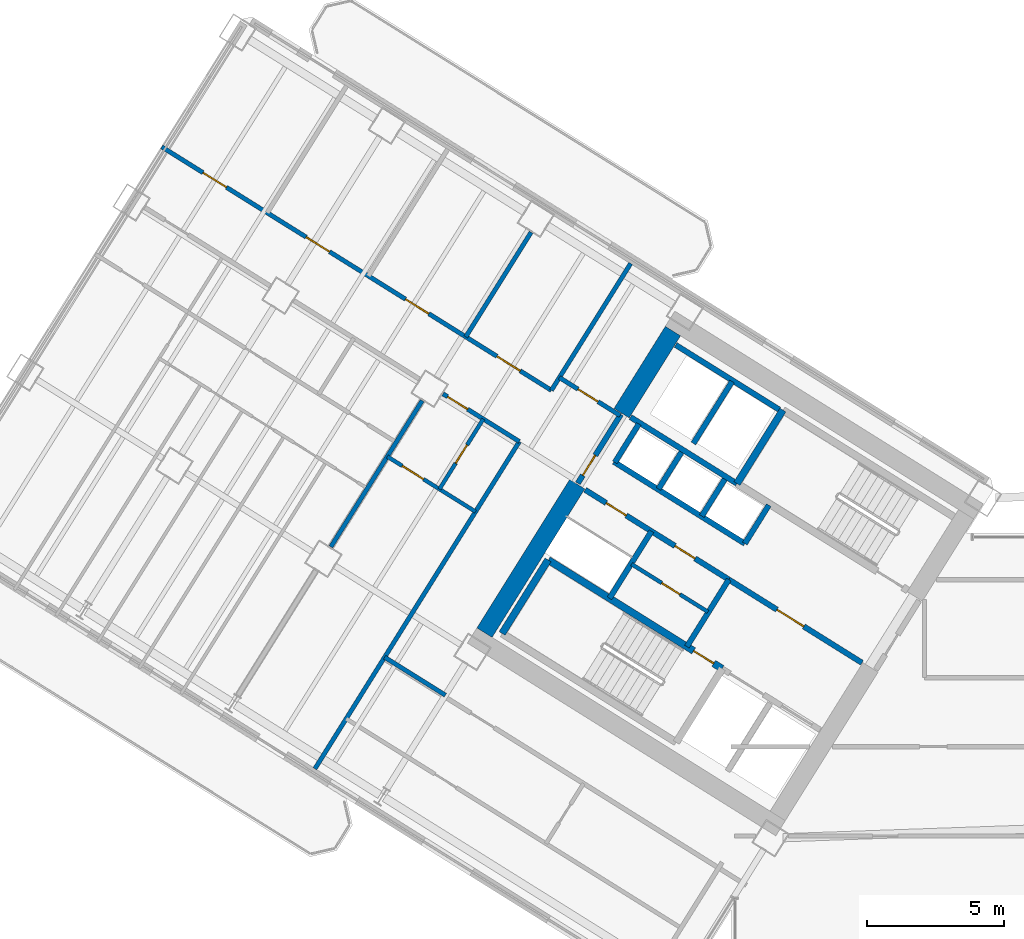
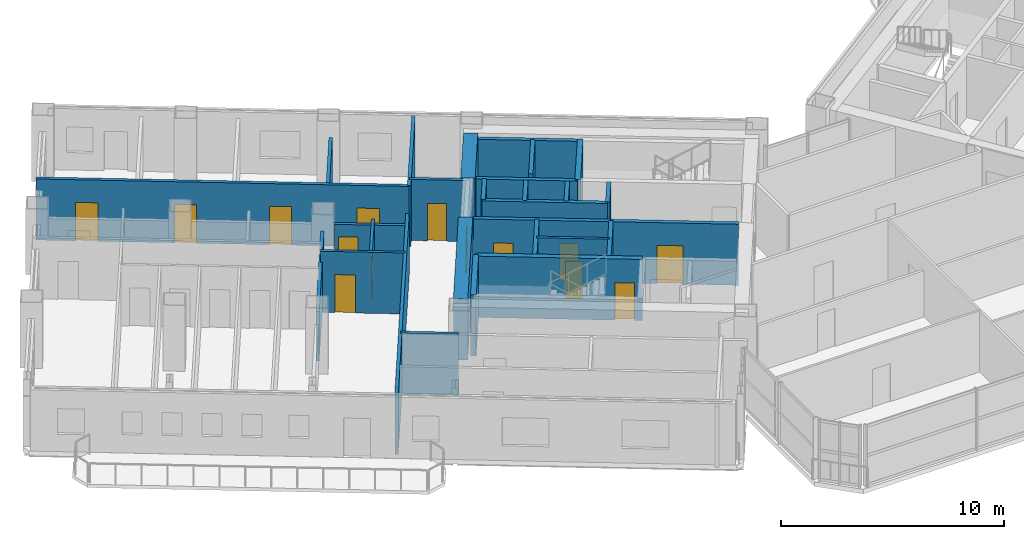
# One storey, part 16 of 28: 29 walls, 14 doors, 14 openings.
"""IFC4 building model written with IfcOpenShell, lengths in metres."""

from ifc_helpers import new_model, si_unit, direction, frame, frame_2d, origin, place, context, subcontext, project, spatial, rectangle, extrude, source, transform, mapped, material, layer, layer_set, type_object, element, fill, save


model = new_model("IFC4")

# Units and contexts
model_context = context("Model", 3, precision=1e-05, world=origin(), true_north=direction((0.0, 1.0)))
body_context = subcontext(model_context, "Body", "Model", "MODEL_VIEW")
ifc_project = project(units=[si_unit("LENGTHUNIT", "METRE"), si_unit("AREAUNIT", "SQUARE_METRE"), si_unit("VOLUMEUNIT", "CUBIC_METRE"), si_unit("PLANEANGLEUNIT", "RADIAN"), si_unit("MASSUNIT", "GRAM", prefix="KILO")], contexts=[model_context])

# Site, building, storey
site_placement = place(None, origin())
site = spatial("IfcSite", under=ifc_project, at=site_placement, CompositionType="ELEMENT")
building_placement = place(site_placement, origin())
building = spatial("IfcBuilding", under=site, at=building_placement, Name="Tlacorven Tower", CompositionType="ELEMENT")
storey_placement = place(building_placement, frame((0.0, 0.0, 63.60009765625)))
storey = spatial("IfcBuildingStorey", under=building, at=storey_placement, Name="L16", CompositionType="ELEMENT", Elevation=63.60009765625)

# Walls
ifc_material_1 = material(Name="Concrete C60/75", Category="concrete")
ifc_layer_1 = layer(ifc_material_1, 0.64990234375)
ifc_layer_set_1 = layer_set([ifc_layer_1], Name="Concrete C60/75")
wall_type_1 = type_object("IfcWallType", Name="WL-COR-650", PredefinedType="SHEAR", material=ifc_layer_set_1)
wall_1_placement = place(storey_placement, frame((29.49072265625, 30.5517578125, 0.0), z_axis=(0.0, 0.0, 1.0), x_axis=(-0.529893103397, -0.8480644427, 0.0)))
element("IfcWall", 1, at=wall_1_placement, inside=storey, type_object=wall_type_1, Name="L16 W core end wall E2.1", PredefinedType="SHEAR", context=body_context, shape_type="SweptSolid", body=[
    extrude(rectangle(XDim=3.525146484375, YDim=0.64990234375, at=frame_2d((1.7626953125, 0.0))), origin(), (0.0, 0.0, 1.0), 3.349853515625),
])
wall_2_placement = place(storey_placement, frame((26.006591796875, 24.975830078125, 0.0), z_axis=(0.0, 0.0, 1.0), x_axis=(-0.529916319127, -0.848049936456, 0.0)))
element("IfcWall", 2, at=wall_2_placement, inside=storey, type_object=wall_type_1, Name="L16 W core end wall E2.2", PredefinedType="SHEAR", context=body_context, shape_type="SweptSolid", body=[
    extrude(rectangle(XDim=6.375, YDim=0.64990234375, at=frame_2d((3.1875, 0.0))), origin(), (0.0, 0.0, 1.0), 3.349853515625),
])

# Wall, opening, door
ifc_material_2 = material(Name="Gypsum plasterboard acoustic partition", Category="gypsum")
ifc_layer_2 = layer(ifc_material_2, 0.159912109375)
ifc_layer_set_2 = layer_set([ifc_layer_2], Name="Gypsum plasterboard acoustic partition")
wall_type_2 = type_object("IfcWallType", Name="WL-DEM-160", PredefinedType="PARTITIONING", material=ifc_layer_set_2)
wall_3_placement = place(storey_placement, frame((27.56982421875, 27.4775390625, 0.0), z_axis=(0.0, 0.0, 1.0), x_axis=(-0.848050851465, 0.529914854792, 0.0)))
wall_3 = element("IfcWall", 3, at=wall_3_placement, inside=storey, type_object=wall_type_2, Name="L16 partition 50", PredefinedType="PARTITIONING", context=body_context, shape_type="SweptSolid", body=[
    extrude(rectangle(XDim=2.60986328125, YDim=0.159912109375, at=frame_2d((1.304931640625, 0.0))), origin(), (0.0, 0.0, 1.0), 3.33984375),
])
opening_1_placement = place(wall_3_placement, frame((0.949951171875, 0.0, 0.0)))
opening_1 = element("IfcOpeningElement", 4, at=opening_1_placement, cuts=wall_3, Name="Opening D19", PredefinedType="OPENING", context=body_context, shape_type="SweptSolid", body=[
    extrude(rectangle(XDim=0.860107421875, YDim=2.050048828125, at=frame_2d((0.43017578125, 1.02490234375))), frame((0.0, 0.08984375, 0.0), z_axis=(0.0, -1.0, 0.0), x_axis=(1.0, 0.0, 0.0)), (0.0, 0.0, 1.0), 0.179931640625),
])
ifc_material_3 = material(Name="Fire-rated steel door assembly", Category="steel")
door_type_1 = type_object("IfcDoorType", Name="DR-RSR-FD60-0860", OperationType="NOTDEFINED", PredefinedType="DOOR", material=ifc_material_3)
shared_shape_1 = source(origin(), body_context, "Body", "SweptSolid", [
    extrude(rectangle(XDim=0.860107421875, YDim=2.050048828125, at=frame_2d((0.43017578125, 1.02490234375))), frame((0.0, 0.02490234375, 0.0), z_axis=(0.0, -1.0, 0.0), x_axis=(1.0, 0.0, 0.0)), (0.0, 0.0, 1.0), 0.050048828125),
])
door_1_placement = place(opening_1_placement, frame((0.860107421875, 0.0, 0.0), z_axis=(0.0, 0.0, 1.0), x_axis=(-1.0, 0.0, 0.0)))
door_1 = element("IfcDoor", 5, at=door_1_placement, inside=storey, type_object=door_type_1, Name="L16 door 022", OperationType="SINGLE_SWING_LEFT", OverallHeight=2.050048828125, OverallWidth=0.860107421875, PredefinedType="DOOR", context=body_context, shape_type="MappedRepresentation", body=[
    mapped(shared_shape_1, transform((0.0, 0.0, 0.0), scale=1.0)),
])
fill(opening_1, door_1)

# Walls
wall_4_placement = place(storey_placement, frame((21.20556640625, 17.29248046875, 0.0), z_axis=(0.0, 0.0, 1.0), x_axis=(-0.848050851465, 0.529914854792, 0.0)))
element("IfcWall", 6, at=wall_4_placement, inside=storey, type_object=wall_type_2, Name="L16 partition 51", PredefinedType="PARTITIONING", context=body_context, shape_type="SweptSolid", body=[
    extrude(rectangle(XDim=2.60986328125, YDim=0.159912109375, at=frame_2d((1.304931640625, 0.0))), origin(), (0.0, 0.0, 1.0), 3.33984375),
])
wall_5_placement = place(storey_placement, frame((27.952880859375, 33.01611328125, 0.0), z_axis=(0.0, 0.0, 1.0), x_axis=(-0.529906322364, -0.848056182997, 0.0)))
element("IfcWall", 7, at=wall_5_placement, inside=storey, type_object=wall_type_2, Name="L16 partition 52", PredefinedType="PARTITIONING", context=body_context, shape_type="SweptSolid", body=[
    extrude(rectangle(XDim=5.449951171875, YDim=0.159912109375, at=frame_2d((2.72509765625, 0.0))), origin(), (0.0, 0.0, 1.0), 3.33984375),
])
wall_6_placement = place(storey_placement, frame((23.899169921875, 26.528564453125, 0.0), z_axis=(0.0, 0.0, 1.0), x_axis=(-0.529917716469, -0.848049063305, 0.0)))
element("IfcWall", 8, at=wall_6_placement, inside=storey, type_object=wall_type_2, Name="L16 partition 53", PredefinedType="PARTITIONING", context=body_context, shape_type="SweptSolid", body=[
    extrude(rectangle(XDim=14.050048828125, YDim=0.159912109375, at=frame_2d((7.02490234375, 0.0))), origin(), (0.0, 0.0, 1.0), 3.33984375),
])

# Wall, openings, doors
wall_7_placement = place(storey_placement, frame((25.06494140625, 28.394287109375, 0.0), z_axis=(0.0, 0.0, 1.0), x_axis=(-0.848048310262, 0.529918921593, 0.0)))
wall_7 = element("IfcWall", 9, at=wall_7_placement, inside=storey, type_object=wall_type_2, Name="L16 Wing W Corridor South Wall", PredefinedType="PARTITIONING", context=body_context, shape_type="SweptSolid", body=[
    extrude(rectangle(XDim=16.72998046875, YDim=0.159912109375, at=frame_2d((8.364990234375, 0.0))), origin(), (0.0, 0.0, 1.0), 3.33984375),
])
opening_2_placement = place(wall_7_placement, frame((1.337890625, 0.0, 0.0)))
opening_2 = element("IfcOpeningElement", 10, at=opening_2_placement, cuts=wall_7, Name="Opening D11", PredefinedType="OPENING", context=body_context, shape_type="SweptSolid", body=[
    extrude(rectangle(XDim=1.0, YDim=2.10009765625, at=frame_2d((0.5, 1.050048828125))), frame((0.0, 0.08984375, 0.0), z_axis=(0.0, -1.0, 0.0), x_axis=(1.0, 0.0, 0.0)), (0.0, 0.0, 1.0), 0.179931640625),
])
opening_3_placement = place(wall_7_placement, frame((5.264892578125, 0.0, 0.0)))
opening_3 = element("IfcOpeningElement", 11, at=opening_3_placement, cuts=wall_7, Name="Opening D11", PredefinedType="OPENING", context=body_context, shape_type="SweptSolid", body=[
    extrude(rectangle(XDim=1.0, YDim=2.10009765625, at=frame_2d((0.5, 1.050048828125))), frame((0.0, 0.08984375, 0.0), z_axis=(0.0, -1.0, 0.0), x_axis=(1.0, 0.0, 0.0)), (0.0, 0.0, 1.0), 0.179931640625),
])
opening_4_placement = place(wall_7_placement, frame((9.52587890625, 0.0, 0.0)))
opening_4 = element("IfcOpeningElement", 12, at=opening_4_placement, cuts=wall_7, Name="Opening D11", PredefinedType="OPENING", context=body_context, shape_type="SweptSolid", body=[
    extrude(rectangle(XDim=1.0, YDim=2.10009765625, at=frame_2d((0.5, 1.050048828125))), frame((0.0, 0.08984375, 0.0), z_axis=(0.0, -1.0, 0.0), x_axis=(1.0, 0.0, 0.0)), (0.0, 0.0, 1.0), 0.179931640625),
])
opening_5_placement = place(wall_7_placement, frame((13.9541015625, 0.0, 0.0)))
opening_5 = element("IfcOpeningElement", 13, at=opening_5_placement, cuts=wall_7, Name="Opening D11", PredefinedType="OPENING", context=body_context, shape_type="SweptSolid", body=[
    extrude(rectangle(XDim=1.0, YDim=2.10009765625, at=frame_2d((0.5, 1.050048828125))), frame((0.0, 0.08984375, 0.0), z_axis=(0.0, -1.0, 0.0), x_axis=(1.0, 0.0, 0.0)), (0.0, 0.0, 1.0), 0.179931640625),
])
door_type_2 = type_object("IfcDoorType", Name="DR-FLT-FD60-1000", OperationType="NOTDEFINED", PredefinedType="DOOR", material=ifc_material_3)
shared_shape_2 = source(origin(), body_context, "Body", "SweptSolid", [
    extrude(rectangle(XDim=1.0, YDim=2.10009765625, at=frame_2d((0.5, 1.050048828125))), frame((0.0, 0.02490234375, 0.0), z_axis=(0.0, -1.0, 0.0), x_axis=(1.0, 0.0, 0.0)), (0.0, 0.0, 1.0), 0.050048828125),
])
door_2_placement = place(opening_2_placement, frame((1.0, 0.0, 0.0), z_axis=(0.0, 0.0, 1.0), x_axis=(-1.0, 0.0, 0.0)))
door_2 = element("IfcDoor", 14, at=door_2_placement, inside=storey, type_object=door_type_2, Name="L16 door 038", OperationType="SINGLE_SWING_RIGHT", OverallHeight=2.10009765625, OverallWidth=1.0, PredefinedType="DOOR", context=body_context, shape_type="MappedRepresentation", body=[
    mapped(shared_shape_2, transform((0.0, 0.0, 0.0), scale=1.0)),
])
fill(opening_2, door_2)
door_3_placement = place(opening_3_placement, frame((1.0, 0.0, 0.0), z_axis=(0.0, 0.0, 1.0), x_axis=(-1.0, 0.0, 0.0)))
door_3 = element("IfcDoor", 15, at=door_3_placement, inside=storey, type_object=door_type_2, Name="L16 door 039", OperationType="SINGLE_SWING_LEFT", OverallHeight=2.10009765625, OverallWidth=1.0, PredefinedType="DOOR", context=body_context, shape_type="MappedRepresentation", body=[
    mapped(shared_shape_2, transform((0.0, 0.0, 0.0), scale=1.0)),
])
fill(opening_3, door_3)
door_4_placement = place(opening_4_placement, frame((1.0, 0.0, 0.0), z_axis=(0.0, 0.0, 1.0), x_axis=(-1.0, 0.0, 0.0)))
door_4 = element("IfcDoor", 16, at=door_4_placement, inside=storey, type_object=door_type_2, Name="L16 door 040", OperationType="SINGLE_SWING_RIGHT", OverallHeight=2.10009765625, OverallWidth=1.0, PredefinedType="DOOR", context=body_context, shape_type="MappedRepresentation", body=[
    mapped(shared_shape_2, transform((0.0, 0.0, 0.0), scale=1.0)),
])
fill(opening_4, door_4)
door_5_placement = place(opening_5_placement, frame((1.0, 0.0, 0.0), z_axis=(0.0, 0.0, 1.0), x_axis=(-1.0, 0.0, 0.0)))
door_5 = element("IfcDoor", 17, at=door_5_placement, inside=storey, type_object=door_type_2, Name="L16 door 041", OperationType="SINGLE_SWING_LEFT", OverallHeight=2.10009765625, OverallWidth=1.0, PredefinedType="DOOR", context=body_context, shape_type="MappedRepresentation", body=[
    mapped(shared_shape_2, transform((0.0, 0.0, 0.0), scale=1.0)),
])
fill(opening_5, door_5)

# Wall, opening, door
wall_8_placement = place(storey_placement, frame((23.899169921875, 26.528564453125, 0.0), z_axis=(0.0, 0.0, 1.0), x_axis=(-0.848061058944, 0.529898518871, 0.0)))
wall_8 = element("IfcWall", 18, at=wall_8_placement, inside=storey, type_object=wall_type_2, Name="L16 Wing W Corridor North Wall", PredefinedType="PARTITIONING", context=body_context, shape_type="SweptSolid", body=[
    extrude(rectangle(XDim=3.278076171875, YDim=0.159912109375, at=frame_2d((1.63916015625, 0.0))), origin(), (0.0, 0.0, 1.0), 2.724853515625),
])
opening_6_placement = place(wall_8_placement, frame((2.219970703125, 0.0, 0.0)))
opening_6 = element("IfcOpeningElement", 19, at=opening_6_placement, cuts=wall_8, Name="Opening D19", PredefinedType="OPENING", context=body_context, shape_type="SweptSolid", body=[
    extrude(rectangle(XDim=0.860107421875, YDim=2.050048828125, at=frame_2d((0.43017578125, 1.02490234375))), frame((0.0, 0.08984375, 0.0), z_axis=(0.0, -1.0, 0.0), x_axis=(1.0, 0.0, 0.0)), (0.0, 0.0, 1.0), 0.179931640625),
])
door_6_placement = place(opening_6_placement, origin())
door_6 = element("IfcDoor", 20, at=door_6_placement, inside=storey, type_object=door_type_1, Name="L16 door 024", OperationType="SINGLE_SWING_LEFT", OverallHeight=2.050048828125, OverallWidth=0.860107421875, PredefinedType="DOOR", context=body_context, shape_type="MappedRepresentation", body=[
    mapped(shared_shape_1, transform((0.0, 0.0, 0.0), scale=1.0)),
])
fill(opening_6, door_6)

# Walls
wall_9_placement = place(storey_placement, frame((20.360595703125, 28.017822265625, 0.0), z_axis=(0.0, 0.0, 1.0), x_axis=(-0.529915015264, -0.848050751193, 0.0)))
element("IfcWall", 21, at=wall_9_placement, inside=storey, type_object=wall_type_2, Name="L16 WN Demising Wall 1", PredefinedType="PARTITIONING", context=body_context, shape_type="SweptSolid", body=[
    extrude(rectangle(XDim=6.27587890625, YDim=0.159912109375, at=frame_2d((3.137939453125, 0.0))), origin(), (0.0, 0.0, 1.0), 2.724853515625),
])
wall_10_placement = place(storey_placement, frame((24.32568359375, 34.148193359375, 0.0), z_axis=(0.0, 0.0, 1.0), x_axis=(-0.529915808518, -0.848050255517, 0.0)))
element("IfcWall", 22, at=wall_10_placement, inside=storey, type_object=wall_type_2, Name="L16 partition 70", PredefinedType="PARTITIONING", context=body_context, shape_type="SweptSolid", body=[
    extrude(rectangle(XDim=4.48779296875, YDim=0.159912109375, at=frame_2d((2.243896484375, 0.0))), origin(), (0.0, 0.0, 1.0), 2.724853515625),
])

# Wall, opening, door
ifc_material_4 = material(Name="Moisture-resistant gypsum plumbing wall", Category="gypsum")
ifc_layer_3 = layer(ifc_material_4, 0.139892578125)
ifc_layer_set_3 = layer_set([ifc_layer_3], Name="Moisture-resistant gypsum plumbing wall")
wall_type_3 = type_object("IfcWallType", Name="WL-PLM-140", PredefinedType="PLUMBINGWALL", material=ifc_layer_set_3)
wall_11_placement = place(storey_placement, frame((30.766357421875, 20.3271484375, 0.0), z_axis=(0.0, 0.0, 1.0), x_axis=(-0.848052663127, 0.529911955482, 0.0)))
wall_11 = element("IfcWall", 23, at=wall_11_placement, inside=storey, type_object=wall_type_3, Name="L16 partition 23", PredefinedType="PLUMBINGWALL", context=body_context, shape_type="SweptSolid", body=[
    extrude(rectangle(XDim=3.27978515625, YDim=0.139892578125, at=frame_2d((1.639892578125, 0.0))), origin(), (0.0, 0.0, 1.0), 3.33984375),
])
opening_7_placement = place(wall_11_placement, frame((1.199951171875, 0.0, 0.0)))
opening_7 = element("IfcOpeningElement", 24, at=opening_7_placement, cuts=wall_11, Name="Opening D22", PredefinedType="OPENING", context=body_context, shape_type="SweptSolid", body=[
    extrude(rectangle(XDim=0.780029296875, YDim=2.050048828125, at=frame_2d((0.39013671875, 1.02490234375))), frame((0.0, 0.080078125, 0.0), z_axis=(0.0, -1.0, 0.0), x_axis=(1.0, 0.0, 0.0)), (0.0, 0.0, 1.0), 0.159912109375),
])
ifc_material_5 = material(Name="Powder-coated aluminium and timber door", Category="wood")
door_type_3 = type_object("IfcDoorType", Name="DR-INT-WET-0780", OperationType="NOTDEFINED", PredefinedType="DOOR", material=ifc_material_5)
shared_shape_3 = source(origin(), body_context, "Body", "SweptSolid", [
    extrude(rectangle(XDim=0.780029296875, YDim=2.050048828125, at=frame_2d((0.39013671875, 1.02490234375))), frame((0.0, 0.02490234375, 0.0), z_axis=(0.0, -1.0, 0.0), x_axis=(1.0, 0.0, 0.0)), (0.0, 0.0, 1.0), 0.050048828125),
])
door_7_placement = place(opening_7_placement, origin())
door_7 = element("IfcDoor", 25, at=door_7_placement, inside=storey, type_object=door_type_3, Name="L16 door 008", OperationType="SINGLE_SWING_LEFT", OverallHeight=2.050048828125, OverallWidth=0.780029296875, PredefinedType="DOOR", context=body_context, shape_type="MappedRepresentation", body=[
    mapped(shared_shape_3, transform((0.0, 0.0, 0.0), scale=1.0)),
])
fill(opening_7, door_7)

wall_12_placement = place(storey_placement, frame((22.303955078125, 23.975830078125, 0.0), z_axis=(0.0, 0.0, 1.0), x_axis=(-0.84803087207, 0.529946827537, 0.0)))
wall_12 = element("IfcWall", 26, at=wall_12_placement, inside=storey, type_object=wall_type_3, Name="L16 partition 58", PredefinedType="PLUMBINGWALL", context=body_context, shape_type="SweptSolid", body=[
    extrude(rectangle(XDim=3.7900390625, YDim=0.139892578125, at=frame_2d((1.89501953125, 0.0))), origin(), (0.0, 0.0, 1.0), 3.33984375),
])
opening_8_placement = place(wall_12_placement, frame((2.22998046875, 0.0, 0.0)))
opening_8 = element("IfcOpeningElement", 27, at=opening_8_placement, cuts=wall_12, Name="Opening D12", PredefinedType="OPENING", context=body_context, shape_type="SweptSolid", body=[
    extrude(rectangle(XDim=0.919921875, YDim=2.080078125, at=frame_2d((0.4599609375, 1.0400390625))), frame((0.0, 0.080078125, 0.0), z_axis=(0.0, -1.0, 0.0), x_axis=(1.0, 0.0, 0.0)), (0.0, 0.0, 1.0), 0.159912109375),
])
door_type_4 = type_object("IfcDoorType", Name="DR-INT-ROOM-0920", OperationType="NOTDEFINED", PredefinedType="DOOR", material=ifc_material_5)
shared_shape_4 = source(origin(), body_context, "Body", "SweptSolid", [
    extrude(rectangle(XDim=0.919921875, YDim=2.080078125, at=frame_2d((0.4599609375, 1.0400390625))), frame((0.0, 0.02490234375, 0.0), z_axis=(0.0, -1.0, 0.0), x_axis=(1.0, 0.0, 0.0)), (0.0, 0.0, 1.0), 0.050048828125),
])
door_8_placement = place(opening_8_placement, origin())
door_8 = element("IfcDoor", 28, at=door_8_placement, inside=storey, type_object=door_type_4, Name="L16 door 025", OperationType="SINGLE_SWING_LEFT", OverallHeight=2.080078125, OverallWidth=0.919921875, PredefinedType="DOOR", context=body_context, shape_type="MappedRepresentation", body=[
    mapped(shared_shape_4, transform((0.0, 0.0, 0.0), scale=1.0)),
])
fill(opening_8, door_8)

wall_13_placement = place(storey_placement, frame((22.584716796875, 27.349853515625, 0.0), z_axis=(0.0, 0.0, 1.0), x_axis=(-0.529977067289, -0.848011974059, 0.0)))
wall_13 = element("IfcWall", 29, at=wall_13_placement, inside=storey, type_object=wall_type_3, Name="L16 partition 59", PredefinedType="PLUMBINGWALL", context=body_context, shape_type="SweptSolid", body=[
    extrude(rectangle(XDim=3.010009765625, YDim=0.139892578125, at=frame_2d((1.5048828125, 0.0))), origin(), (0.0, 0.0, 1.0), 2.994873046875),
])
opening_9_placement = place(wall_13_placement, frame((1.114990234375, 0.0, 0.0)))
opening_9 = element("IfcOpeningElement", 30, at=opening_9_placement, cuts=wall_13, Name="Opening D22", PredefinedType="OPENING", context=body_context, shape_type="SweptSolid", body=[
    extrude(rectangle(XDim=0.780029296875, YDim=2.050048828125, at=frame_2d((0.39013671875, 1.02490234375))), frame((0.0, 0.080078125, 0.0), z_axis=(0.0, -1.0, 0.0), x_axis=(1.0, 0.0, 0.0)), (0.0, 0.0, 1.0), 0.159912109375),
])
door_9_placement = place(opening_9_placement, origin())
door_9 = element("IfcDoor", 31, at=door_9_placement, inside=storey, type_object=door_type_3, Name="L16 door 026", OperationType="SINGLE_SWING_RIGHT", OverallHeight=2.050048828125, OverallWidth=0.780029296875, PredefinedType="DOOR", context=body_context, shape_type="MappedRepresentation", body=[
    mapped(shared_shape_3, transform((0.0, 0.0, 0.0), scale=1.0)),
])
fill(opening_9, door_9)

ifc_material_6 = material(Name="Concrete C40/50", Category="concrete")
ifc_layer_4 = layer(ifc_material_6, 0.199951171875)
ifc_layer_set_4 = layer_set([ifc_layer_4], Name="Concrete C40/50")
wall_type_4 = type_object("IfcWallType", Name="WL-SHF-200", PredefinedType="STANDARD", material=ifc_layer_set_4)
wall_14_placement = place(storey_placement, frame((36.374267578125, 18.4736328125, 0.0), z_axis=(0.0, 0.0, 1.0), x_axis=(-0.848051071577, 0.529914502535, 0.0)))
wall_14 = element("IfcWall", 32, at=wall_14_placement, inside=storey, type_object=wall_type_4, Name="L16 Core W Smoke Lobby Wall", PredefinedType="STANDARD", context=body_context, shape_type="SweptSolid", body=[
    extrude(rectangle(XDim=5.718017578125, YDim=0.199951171875, at=frame_2d((2.85888671875, 0.0))), origin(), (0.0, 0.0, 1.0), 3.33984375),
])
opening_10_placement = place(wall_14_placement, frame((2.498046875, 0.0, 0.0)))
opening_10 = element("IfcOpeningElement", 33, at=opening_10_placement, cuts=wall_14, Name="Opening D09", PredefinedType="OPENING", context=body_context, shape_type="SweptSolid", body=[
    extrude(rectangle(XDim=1.14990234375, YDim=2.10009765625, at=frame_2d((0.574951171875, 1.050048828125))), frame((0.0, 0.10986328125, 0.0), z_axis=(0.0, -1.0, 0.0), x_axis=(1.0, 0.0, 0.0)), (0.0, 0.0, 1.0), 0.219970703125),
])
door_type_5 = type_object("IfcDoorType", Name="DR-FFL-FD60-1150", OperationType="NOTDEFINED", PredefinedType="DOOR", material=ifc_material_3)
shared_shape_5 = source(origin(), body_context, "Body", "SweptSolid", [
    extrude(rectangle(XDim=1.14990234375, YDim=2.10009765625, at=frame_2d((0.574951171875, 1.050048828125))), frame((0.0, 0.02490234375, 0.0), z_axis=(0.0, -1.0, 0.0), x_axis=(1.0, 0.0, 0.0)), (0.0, 0.0, 1.0), 0.050048828125),
])
door_10_placement = place(opening_10_placement, origin())
door_10 = element("IfcDoor", 34, at=door_10_placement, inside=storey, type_object=door_type_5, Name="L16 Firefighting Lobby W Fire Door", OperationType="SINGLE_SWING_RIGHT", OverallHeight=2.10009765625, OverallWidth=1.14990234375, PredefinedType="DOOR", context=body_context, shape_type="MappedRepresentation", body=[
    mapped(shared_shape_5, transform((0.0, 0.0, 0.0), scale=1.0)),
])
fill(opening_10, door_10)

# Walls
wall_15_placement = place(storey_placement, frame((31.82177734375, 24.99755859375, 0.0), z_axis=(0.0, 0.0, 1.0), x_axis=(-0.848058348634, 0.529902856485, 0.0)))
element("IfcWall", 35, at=wall_15_placement, inside=storey, type_object=wall_type_4, Name="L16 Core W South Lift Shaft Wall", PredefinedType="STANDARD", context=body_context, shape_type="SweptSolid", body=[
    extrude(rectangle(XDim=4.568115234375, YDim=0.199951171875, at=frame_2d((2.2841796875, 0.0))), origin(), (0.0, 0.0, 1.0), 3.33984375),
])
wall_16_placement = place(storey_placement, frame((32.108154296875, 22.81396484375, 0.0), z_axis=(0.0, 0.0, 1.0), x_axis=(-0.848042229521, 0.529928652696, 0.0)))
element("IfcWall", 36, at=wall_16_placement, inside=storey, type_object=wall_type_4, Name="L16 partition 11", PredefinedType="STANDARD", context=body_context, shape_type="SweptSolid", body=[
    extrude(rectangle(XDim=5.6201171875, YDim=0.199951171875, at=frame_2d((2.81005859375, 0.0))), origin(), (0.0, 0.0, 1.0), 3.33984375),
])
wall_17_placement = place(storey_placement, frame((32.982421875, 24.21337890625, 0.0), z_axis=(0.0, 0.0, 1.0), x_axis=(-0.529839334948, -0.84809803628, 0.0)))
element("IfcWall", 37, at=wall_17_placement, inside=storey, type_object=wall_type_4, Name="L16 partition 12", PredefinedType="STANDARD", context=body_context, shape_type="SweptSolid", body=[
    extrude(rectangle(XDim=1.650146484375, YDim=0.199951171875, at=frame_2d((0.8251953125, 0.0))), origin(), (0.0, 0.0, 1.0), 3.33984375),
])
wall_18_placement = place(storey_placement, frame((28.250244140625, 27.170166015625, 0.0), z_axis=(0.0, 0.0, 1.0), x_axis=(-0.529905827651, -0.848056492117, 0.0)))
element("IfcWall", 38, at=wall_18_placement, inside=storey, type_object=wall_type_4, Name="L16 partition 13", PredefinedType="STANDARD", context=body_context, shape_type="SweptSolid", body=[
    extrude(rectangle(XDim=1.64990234375, YDim=0.199951171875, at=frame_2d((0.824951171875, 0.0))), origin(), (0.0, 0.0, 1.0), 3.33984375),
])
wall_19_placement = place(storey_placement, frame((31.645263671875, 28.716064453125, 0.0), z_axis=(0.0, 0.0, 1.0), x_axis=(-0.52986693015, -0.848080795876, 0.0)))
element("IfcWall", 39, at=wall_19_placement, inside=storey, type_object=wall_type_4, Name="L16 partition 15", PredefinedType="STANDARD", context=body_context, shape_type="SweptSolid", body=[
    extrude(rectangle(XDim=2.659912109375, YDim=0.199951171875, at=frame_2d((1.330078125, 0.0))), origin(), (0.0, 0.0, 1.0), 3.33984375),
])
wall_20_placement = place(storey_placement, frame((33.362548828125, 27.690185546875, 0.0), z_axis=(0.0, 0.0, 1.0), x_axis=(-0.848053806312, 0.529910125964, 0.0)))
element("IfcWall", 40, at=wall_20_placement, inside=storey, type_object=wall_type_4, Name="L16 partition 17", PredefinedType="STANDARD", context=body_context, shape_type="SweptSolid", body=[
    extrude(rectangle(XDim=4.44775390625, YDim=0.199951171875, at=frame_2d((2.223876953125, 0.0))), origin(), (0.0, 0.0, 1.0), 3.33984375),
])
for number, where, z_axis, x_axis, name in (
    (41, (31.378662109375, 25.156494140625, 0.0), (0.0, 0.0, 1.0), (-0.529998940003, -0.847998304005, 0.0), "L16 partition 18"),
    (42, (29.80126953125, 26.14208984375, 0.0), (0.0, 0.0, 1.0), (-0.529998940003, -0.847998304005, 0.0), "L16 partition 19"),
):
    element("IfcWall", number, at=place(storey_placement, frame(where, z_axis=z_axis, x_axis=x_axis)), inside=storey, type_object=wall_type_4, Name=name, PredefinedType="STANDARD", context=body_context, shape_type="SweptSolid", body=[
        extrude(rectangle(XDim=1.580078125, YDim=0.199951171875, at=frame_2d((0.7900390625, 0.0))), origin(), (0.0, 0.0, 1.0), 3.33984375),
    ])
for number, where, z_axis, x_axis, name in (
    (43, (31.525146484375, 21.503662109375, 0.0), (0.0, 0.0, 1.0), (-0.529907497854, -0.848055448493, 0.0), "L16 partition 20"),
    (44, (28.709716796875, 23.26318359375, 0.0), (0.0, 0.0, 1.0), (-0.529907497854, -0.848055448493, 0.0), "L16 partition 21"),
):
    element("IfcWall", number, at=place(storey_placement, frame(where, z_axis=z_axis, x_axis=x_axis)), inside=storey, type_object=wall_type_4, Name=name, PredefinedType="STANDARD", context=body_context, shape_type="SweptSolid", body=[
        extrude(rectangle(XDim=2.8798828125, YDim=0.199951171875, at=frame_2d((1.43994140625, 0.0))), origin(), (0.0, 0.0, 1.0), 3.33984375),
    ])

# Wall, openings, doors
wall_21_placement = place(storey_placement, frame((31.525146484375, 21.503662109375, 0.0), z_axis=(0.0, 0.0, 1.0), x_axis=(-0.848044998614, 0.529924221305, 0.0)))
wall_21 = element("IfcWall", 45, at=wall_21_placement, inside=storey, type_object=wall_type_4, Name="L16 Core W North Service Wall", PredefinedType="STANDARD", context=body_context, shape_type="SweptSolid", body=[
    extrude(rectangle(XDim=6.16796875, YDim=0.199951171875, at=frame_2d((3.083984375, 0.0))), origin(), (0.0, 0.0, 1.0), 3.33984375),
])
opening_11_placement = place(wall_21_placement, frame((4.39990234375, 0.0, 0.0)))
opening_11 = element("IfcOpeningElement", 46, at=opening_11_placement, cuts=wall_21, Name="Opening D19", PredefinedType="OPENING", context=body_context, shape_type="SweptSolid", body=[
    extrude(rectangle(XDim=0.860107421875, YDim=2.050048828125, at=frame_2d((0.43017578125, 1.02490234375))), frame((0.0, 0.10986328125, 0.0), z_axis=(0.0, -1.0, 0.0), x_axis=(1.0, 0.0, 0.0)), (0.0, 0.0, 1.0), 0.219970703125),
])
opening_12_placement = place(wall_21_placement, frame((1.449951171875, 0.0, 0.0)))
opening_12 = element("IfcOpeningElement", 47, at=opening_12_placement, cuts=wall_21, Name="Opening D19", PredefinedType="OPENING", context=body_context, shape_type="SweptSolid", body=[
    extrude(rectangle(XDim=0.860107421875, YDim=2.050048828125, at=frame_2d((0.43017578125, 1.02490234375))), frame((0.0, 0.10986328125, 0.0), z_axis=(0.0, -1.0, 0.0), x_axis=(1.0, 0.0, 0.0)), (0.0, 0.0, 1.0), 0.219970703125),
])
door_11_placement = place(opening_11_placement, frame((0.860107421875, 0.0, 0.0), z_axis=(0.0, 0.0, 1.0), x_axis=(-1.0, 0.0, 0.0)))
door_11 = element("IfcDoor", 48, at=door_11_placement, inside=storey, type_object=door_type_1, Name="L16 Electrical Riser Access Door W", OperationType="SINGLE_SWING_LEFT", OverallHeight=2.050048828125, OverallWidth=0.860107421875, PredefinedType="DOOR", context=body_context, shape_type="MappedRepresentation", body=[
    mapped(shared_shape_1, transform((0.0, 0.0, 0.0), scale=1.0)),
])
fill(opening_11, door_11)
door_12_placement = place(opening_12_placement, frame((0.860107421875, 0.0, 0.0), z_axis=(0.0, 0.0, 1.0), x_axis=(-1.0, 0.0, 0.0)))
door_12 = element("IfcDoor", 49, at=door_12_placement, inside=storey, type_object=door_type_1, Name="L16 Cleaner Store Access Door W", OperationType="SINGLE_SWING_RIGHT", OverallHeight=2.050048828125, OverallWidth=0.860107421875, PredefinedType="DOOR", context=body_context, shape_type="MappedRepresentation", body=[
    mapped(shared_shape_1, transform((0.0, 0.0, 0.0), scale=1.0)),
])
fill(opening_12, door_12)

# Wall, opening, door
wall_22_placement = place(storey_placement, frame((27.59619140625, 27.52001953125, 0.0), z_axis=(0.0, 0.0, 1.0), x_axis=(-0.529865479138, -0.848081702443, 0.0)))
wall_22 = element("IfcWall", 50, at=wall_22_placement, inside=storey, type_object=wall_type_4, Name="L16 partition 49", PredefinedType="STANDARD", context=body_context, shape_type="SweptSolid", body=[
    extrude(rectangle(XDim=2.9599609375, YDim=0.199951171875, at=frame_2d((1.47998046875, 0.0))), origin(), (0.0, 0.0, 1.0), 3.33984375),
])
opening_13_placement = place(wall_22_placement, frame((1.760009765625, 0.0, 0.0)))
opening_13 = element("IfcOpeningElement", 51, at=opening_13_placement, cuts=wall_22, Name="Opening D19", PredefinedType="OPENING", context=body_context, shape_type="SweptSolid", body=[
    extrude(rectangle(XDim=0.860107421875, YDim=2.050048828125, at=frame_2d((0.43017578125, 1.02490234375))), frame((0.0, 0.10986328125, 0.0), z_axis=(0.0, -1.0, 0.0), x_axis=(1.0, 0.0, 0.0)), (0.0, 0.0, 1.0), 0.219970703125),
])
door_13_placement = place(opening_13_placement, origin())
door_13 = element("IfcDoor", 52, at=door_13_placement, inside=storey, type_object=door_type_1, Name="L16 door 023", OperationType="SINGLE_SWING_LEFT", OverallHeight=2.050048828125, OverallWidth=0.860107421875, PredefinedType="DOOR", context=body_context, shape_type="MappedRepresentation", body=[
    mapped(shared_shape_1, transform((0.0, 0.0, 0.0), scale=1.0)),
])
fill(opening_13, door_13)

ifc_material_7 = material(Name="Concrete C50/60", Category="concrete")
ifc_layer_5 = layer(ifc_material_7, 0.260009765625)
ifc_layer_set_5 = layer_set([ifc_layer_5], Name="Concrete C50/60")
wall_type_5 = type_object("IfcWallType", Name="WL-STW-260", PredefinedType="SHEAR", material=ifc_layer_set_5)
wall_23_placement = place(storey_placement, frame((31.279541015625, 18.26123046875, 0.0), z_axis=(0.0, 0.0, 1.0), x_axis=(-0.848051618787, 0.529913626805, 0.0)))
wall_23 = element("IfcWall", 53, at=wall_23_placement, inside=storey, type_object=wall_type_5, Name="L16 Stair W1 Lobby Shear Wall", PredefinedType="SHEAR", context=body_context, shape_type="SweptSolid", body=[
    extrude(rectangle(XDim=7.4599609375, YDim=0.260009765625, at=frame_2d((3.72998046875, 0.0))), origin(), (0.0, 0.0, 1.0), 3.349853515625),
])
opening_14_placement = place(wall_23_placement, frame((0.360107421875, 0.0, 0.0)))
opening_14 = element("IfcOpeningElement", 54, at=opening_14_placement, cuts=wall_23, Name="Opening D19", PredefinedType="OPENING", context=body_context, shape_type="SweptSolid", body=[
    extrude(rectangle(XDim=0.860107421875, YDim=2.050048828125, at=frame_2d((0.43017578125, 1.02490234375))), frame((0.0, 0.14013671875, 0.0), z_axis=(0.0, -1.0, 0.0), x_axis=(1.0, 0.0, 0.0)), (0.0, 0.0, 1.0), 0.280029296875),
])
door_14_placement = place(opening_14_placement, frame((0.860107421875, 0.0, 0.0), z_axis=(0.0, 0.0, 1.0), x_axis=(-1.0, 0.0, 0.0)))
door_14 = element("IfcDoor", 55, at=door_14_placement, inside=storey, type_object=door_type_1, Name="L16 Exit Stair W1 Fire Door", OperationType="SINGLE_SWING_LEFT", OverallHeight=2.050048828125, OverallWidth=0.860107421875, PredefinedType="DOOR", context=body_context, shape_type="MappedRepresentation", body=[
    mapped(shared_shape_1, transform((0.0, 0.0, 0.0), scale=1.0)),
])
fill(opening_14, door_14)

# Walls
for number, where, z_axis, x_axis, name in (
    (56, (24.944580078125, 22.2197265625, 0.0), (0.0, 0.0, 1.0), (-0.529908658664, -0.84805472316, 0.0), "L16 Stair W1 East Shear Wall"),
    (57, (33.496337890625, 27.677490234375, 0.0), (0.0, 0.0, 1.0), (-0.529908658664, -0.84805472316, 0.0), "L16 Stair W2 East Shear Wall"),
):
    element("IfcWall", number, at=place(storey_placement, frame(where, z_axis=z_axis, x_axis=x_axis)), inside=storey, type_object=wall_type_5, Name=name, PredefinedType="SHEAR", context=body_context, shape_type="SweptSolid", body=[
        extrude(rectangle(XDim=3.16015625, YDim=0.260009765625, at=frame_2d((1.580078125, 0.0))), origin(), (0.0, 0.0, 1.0), 3.349853515625),
    ])

save(model, "model.ifc")
